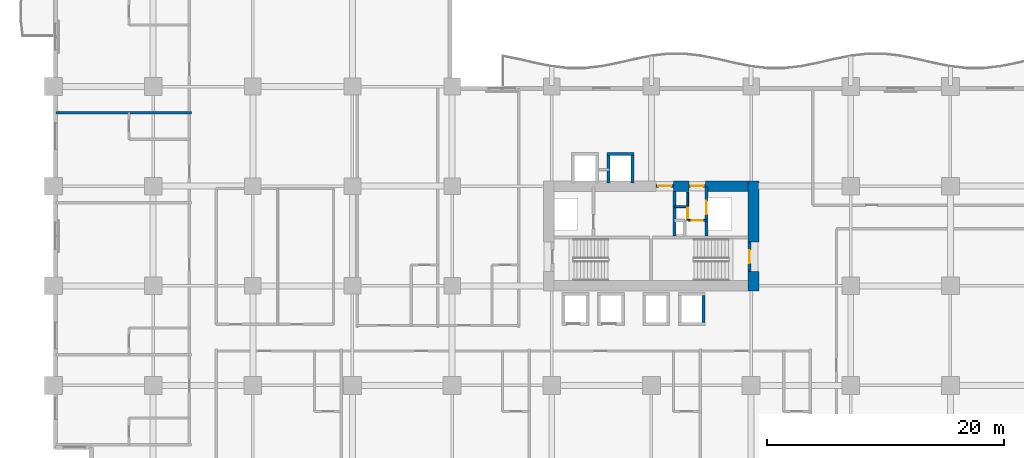
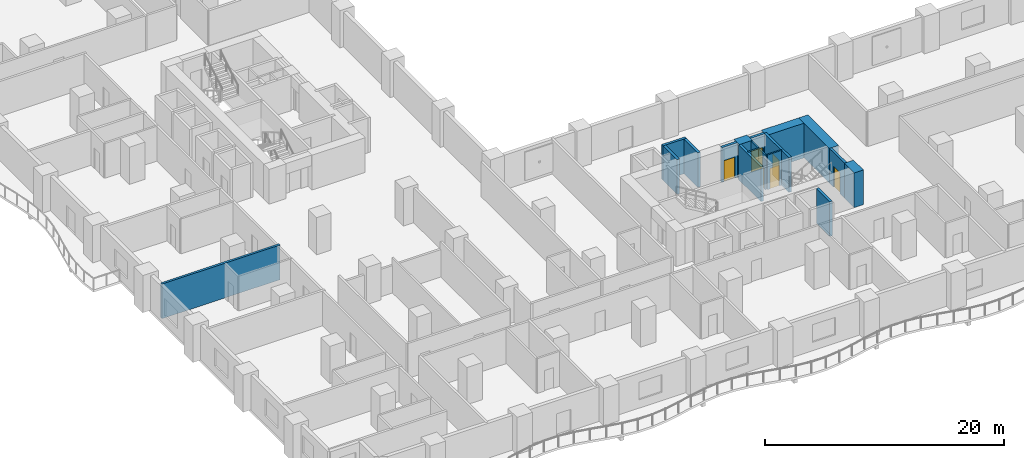
# One storey, part 7 of 20: 17 walls, 6 doors, 6 openings.
"""IFC4 building model written with IfcOpenShell, lengths in metres."""

from ifc_helpers import new_model, si_unit, direction, frame, frame_2d, origin, place, context, subcontext, project, spatial, rectangle, extrude, material, layer, layer_set, type_object, element, fill, save


model = new_model("IFC4")

# Units and contexts
model_context = context("Model", 3, precision=1e-05, world=origin(), true_north=direction((0.0, 1.0)))
body_context = subcontext(model_context, "Body", "Model", "MODEL_VIEW")
ifc_project = project(units=[si_unit("LENGTHUNIT", "METRE"), si_unit("AREAUNIT", "SQUARE_METRE"), si_unit("VOLUMEUNIT", "CUBIC_METRE"), si_unit("PLANEANGLEUNIT", "RADIAN"), si_unit("MASSUNIT", "GRAM", prefix="KILO")], contexts=[model_context])

# Site, building, storey
site_placement = place(None, origin())
site = spatial("IfcSite", under=ifc_project, at=site_placement, CompositionType="ELEMENT")
building_placement = place(site_placement, origin())
building = spatial("IfcBuilding", under=site, at=building_placement, Name="Koriwani Terraces Tower", CompositionType="ELEMENT")
storey_placement = place(building_placement, frame((0.0, 0.0, 73.800048828125)))
storey = spatial("IfcBuildingStorey", under=building, at=storey_placement, Name="L17", CompositionType="ELEMENT", Elevation=73.800048828125)

# Walls
ifc_material_1 = material(Name="Concrete C60/75", Category="concrete")
ifc_layer_1 = layer(ifc_material_1, 0.89990234375, Name="Concrete C60/75")
ifc_layer_set_1 = layer_set([ifc_layer_1], Name="Concrete C60/75")
wall_type_1 = type_object("IfcWallType", Name="WALL_CORE_RC_900", PredefinedType="SHEAR", material=ifc_layer_set_1)
wall_1_placement = place(storey_placement, frame((59.0, 16.35009765625, 0.0), z_axis=(0.0, 0.0, 1.0), x_axis=(0.0, 1.0, 0.0)))
element("IfcWall", 1, at=wall_1_placement, inside=storey, type_object=wall_type_1, Name="L17 East Split Core Shear Wall E1", PredefinedType="SHEAR", context=body_context, shape_type="SweptSolid", body=[
    extrude(rectangle(XDim=1.64990234375, YDim=0.89990234375, at=frame_2d((0.824951171875, 0.0))), origin(), (0.0, 0.0, 1.0), 3.550048828125),
])
wall_2_placement = place(storey_placement, frame((59.0, 20.5, 0.0), z_axis=(0.0, 0.0, 1.0), x_axis=(0.0, 1.0, 0.0)))
element("IfcWall", 2, at=wall_2_placement, inside=storey, type_object=wall_type_1, Name="L17 East Split Core Shear Wall E2", PredefinedType="SHEAR", context=body_context, shape_type="SweptSolid", body=[
    extrude(rectangle(XDim=5.14990234375, YDim=0.89990234375, at=frame_2d((2.574951171875, 0.0))), origin(), (0.0, 0.0, 1.0), 3.550048828125),
])
wall_3_placement = place(storey_placement, frame((52.280029296875, 25.199951171875, 0.0), z_axis=(0.0, 0.0, 1.0), x_axis=(1.0, 0.0, 0.0)))
element("IfcWall", 3, at=wall_3_placement, inside=storey, type_object=wall_type_1, Name="L17 East Split Core Shear Wall N2", PredefinedType="SHEAR", context=body_context, shape_type="SweptSolid", body=[
    extrude(rectangle(XDim=1.27001953125, YDim=0.89990234375, at=frame_2d((0.635009765625, 0.0))), origin(), (0.0, 0.0, 1.0), 3.550048828125),
])
wall_4_placement = place(storey_placement, frame((54.949951171875, 25.199951171875, 0.0), z_axis=(0.0, 0.0, 1.0), x_axis=(1.0, 0.0, 0.0)))
element("IfcWall", 4, at=wall_4_placement, inside=storey, type_object=wall_type_1, Name="L17 East Split Core Shear Wall N3", PredefinedType="SHEAR", context=body_context, shape_type="SweptSolid", body=[
    extrude(rectangle(XDim=3.60009765625, YDim=0.89990234375, at=frame_2d((1.800048828125, 0.0))), origin(), (0.0, 0.0, 1.0), 3.550048828125),
])
ifc_material_2 = material(Name="Autoclaved Cellular Concrete Blockwork", Category="masonry")
ifc_layer_2 = layer(ifc_material_2, 0.219970703125, Name="Autoclaved Cellular Concrete Blockwork")
ifc_layer_set_2 = layer_set([ifc_layer_2], Name="Autoclaved Cellular Concrete Blockwork")
wall_type_2 = type_object("IfcWallType", Name="WALL_DEMISING_220", PredefinedType="PARTITIONING", material=ifc_layer_set_2)
wall_5_placement = place(storey_placement, frame((0.199951171875, 31.39990234375, 0.0), z_axis=(0.0, 0.0, 1.0), x_axis=(1.0, 0.0, 0.0)))
element("IfcWall", 5, at=wall_5_placement, inside=storey, type_object=wall_type_2, Name="L17 Interior Wall WDEM-L17-NW-3", PredefinedType="PARTITIONING", context=body_context, shape_type="SweptSolid", body=[
    extrude(rectangle(XDim=11.429931640625, YDim=0.219970703125, at=frame_2d((5.71484375, 0.0))), origin(), (0.0, 0.0, 1.0), 3.550048828125),
])

# Wall, opening, door
ifc_material_3 = material(Name="Concrete C40/50", Category="concrete")
ifc_layer_3 = layer(ifc_material_3, 0.25, Name="Concrete C40/50")
ifc_layer_set_3 = layer_set([ifc_layer_3], Name="Concrete C40/50")
wall_type_3 = type_object("IfcWallType", Name="WALL_SHAFT_RATED_250", PredefinedType="SOLIDWALL", material=ifc_layer_set_3)
wall_6_placement = place(storey_placement, frame((58.675048828125, 18.0, 0.0), z_axis=(0.0, 0.0, 1.0), x_axis=(0.0, 1.0, 0.0)))
wall_6 = element("IfcWall", 6, at=wall_6_placement, inside=storey, type_object=wall_type_3, Name="L17 Interior Wall WIN-CE-L17-STE", PredefinedType="SOLIDWALL", context=body_context, shape_type="SweptSolid", body=[
    extrude(rectangle(XDim=2.5, YDim=0.25, at=frame_2d((1.25, 0.0))), origin(), (0.0, 0.0, 1.0), 3.550048828125),
])
opening_1_placement = place(wall_6_placement, frame((0.699951171875, 0.0, 0.0)))
opening_1 = element("IfcOpeningElement", 7, at=opening_1_placement, cuts=wall_6, Name="Opening D-03", PredefinedType="OPENING", context=body_context, shape_type="SweptSolid", body=[
    extrude(rectangle(XDim=1.10009765625, YDim=2.14990234375, at=frame_2d((0.550048828125, 1.074951171875))), frame((0.0, 0.135009765625, 0.0), z_axis=(0.0, -1.0, 0.0), x_axis=(1.0, 0.0, 0.0)), (0.0, 0.0, 1.0), 0.27001953125),
])
ifc_material_4 = material(Name="Steel ASTM A572 Grade 50", Category="steel")
door_type_1 = type_object("IfcDoorType", Name="DOOR_STAIR_FIRE_1100X2150", OperationType="NOTDEFINED", PredefinedType="DOOR", material=ifc_material_4)
door_1_placement = place(opening_1_placement, origin())
door_1 = element("IfcDoor", 8, at=door_1_placement, inside=storey, type_object=door_type_1, Name="L17 Exit Stair ST-E2 Door", OperationType="SINGLE_SWING_LEFT", OverallHeight=2.14990234375, OverallWidth=1.10009765625, PredefinedType="DOOR", context=body_context, shape_type="SweptSolid", body=[
    extrude(rectangle(XDim=1.10009765625, YDim=2.14990234375, at=frame_2d((0.550048828125, 1.074951171875))), frame((0.0, 0.02490234375, 0.0), z_axis=(0.0, -1.0, 0.0), x_axis=(1.0, 0.0, 0.0)), (0.0, 0.0, 1.0), 0.050048828125),
])
fill(opening_1, door_1)

wall_7_placement = place(storey_placement, frame((50.800048828125, 25.199951171875, 0.0), z_axis=(0.0, 0.0, 1.0), x_axis=(1.0, 0.0, 0.0)))
wall_7 = element("IfcWall", 9, at=wall_7_placement, inside=storey, type_object=wall_type_3, Name="L17 Interior Wall WIN-CE-L17-NP", PredefinedType="SOLIDWALL", context=body_context, shape_type="SweptSolid", body=[
    extrude(rectangle(XDim=1.47998046875, YDim=0.25, at=frame_2d((0.739990234375, 0.0))), origin(), (0.0, 0.0, 1.0), 3.550048828125),
])
opening_2_placement = place(wall_7_placement, frame((0.179931640625, 0.0, 0.0)))
opening_2 = element("IfcOpeningElement", 10, at=opening_2_placement, cuts=wall_7, Name="Opening D-03", PredefinedType="OPENING", context=body_context, shape_type="SweptSolid", body=[
    extrude(rectangle(XDim=1.10009765625, YDim=2.14990234375, at=frame_2d((0.550048828125, 1.074951171875))), frame((0.0, 0.135009765625, 0.0), z_axis=(0.0, -1.0, 0.0), x_axis=(1.0, 0.0, 0.0)), (0.0, 0.0, 1.0), 0.27001953125),
])
door_2_placement = place(opening_2_placement, origin())
door_2 = element("IfcDoor", 11, at=door_2_placement, inside=storey, type_object=door_type_1, Name="L17 East Firefighting Lobby Door", OperationType="SINGLE_SWING_RIGHT", OverallHeight=2.14990234375, OverallWidth=1.10009765625, PredefinedType="DOOR", context=body_context, shape_type="SweptSolid", body=[
    extrude(rectangle(XDim=1.10009765625, YDim=2.14990234375, at=frame_2d((0.550048828125, 1.074951171875))), frame((0.0, 0.02490234375, 0.0), z_axis=(0.0, -1.0, 0.0), x_axis=(1.0, 0.0, 0.0)), (0.0, 0.0, 1.0), 0.050048828125),
])
fill(opening_2, door_2)

# Wall
wall_8_placement = place(storey_placement, frame((52.340087890625, 21.0, 0.0), z_axis=(0.0, 0.0, 1.0), x_axis=(0.0, 1.0, 0.0)))
element("IfcWall", 12, at=wall_8_placement, inside=storey, type_object=wall_type_3, Name="L17 Interior Wall WIN-CE-L17-FFE", PredefinedType="SOLIDWALL", context=body_context, shape_type="SweptSolid", body=[
    extrude(rectangle(XDim=3.75, YDim=0.25, at=frame_2d((1.875, 0.0))), origin(), (0.0, 0.0, 1.0), 3.550048828125),
])

# Wall, opening, door
wall_9_placement = place(storey_placement, frame((55.050048828125, 21.0, 0.0), z_axis=(0.0, 0.0, 1.0), x_axis=(0.0, 1.0, 0.0)))
wall_9 = element("IfcWall", 13, at=wall_9_placement, inside=storey, type_object=wall_type_3, Name="L17 Interior Wall WIN-CE-L17-SE", PredefinedType="SOLIDWALL", context=body_context, shape_type="SweptSolid", body=[
    extrude(rectangle(XDim=4.14990234375, YDim=0.25, at=frame_2d((2.074951171875, 0.0))), origin(), (0.0, 0.0, 1.0), 3.550048828125),
])
opening_3_placement = place(wall_9_placement, frame((1.85009765625, 0.0, 0.0)))
opening_3 = element("IfcOpeningElement", 14, at=opening_3_placement, cuts=wall_9, Name="Opening LD-01", PredefinedType="OPENING", context=body_context, shape_type="SweptSolid", body=[
    extrude(rectangle(XDim=1.10009765625, YDim=2.14990234375, at=frame_2d((0.550048828125, 1.074951171875))), frame((0.0, 0.135009765625, 0.0), z_axis=(0.0, -1.0, 0.0), x_axis=(1.0, 0.0, 0.0)), (0.0, 0.0, 1.0), 0.27001953125),
])
door_type_2 = type_object("IfcDoorType", Name="DOOR_LIFT_LANDING_1100X2200", OperationType="NOTDEFINED", PredefinedType="DOOR", material=ifc_material_4)
door_3_placement = place(opening_3_placement, origin())
door_3 = element("IfcDoor", 15, at=door_3_placement, inside=storey, type_object=door_type_2, Name="L17 Goods Lift SE-02 Landing Door", OperationType="SLIDING_TO_LEFT", OverallHeight=2.14990234375, OverallWidth=1.10009765625, PredefinedType="DOOR", context=body_context, shape_type="SweptSolid", body=[
    extrude(rectangle(XDim=1.10009765625, YDim=2.14990234375, at=frame_2d((0.550048828125, 1.074951171875))), frame((0.0, 0.02490234375, 0.0), z_axis=(0.0, -1.0, 0.0), x_axis=(1.0, 0.0, 0.0)), (0.0, 0.0, 1.0), 0.050048828125),
])
fill(opening_3, door_3)

wall_10_placement = place(storey_placement, frame((53.550048828125, 25.199951171875, 0.0), z_axis=(0.0, 0.0, 1.0), x_axis=(1.0, 0.0, 0.0)))
wall_10 = element("IfcWall", 16, at=wall_10_placement, inside=storey, type_object=wall_type_3, Name="L17 Interior Wall WIN-CE-L17-NP2", PredefinedType="SOLIDWALL", context=body_context, shape_type="SweptSolid", body=[
    extrude(rectangle(XDim=1.39990234375, YDim=0.25, at=frame_2d((0.699951171875, 0.0))), origin(), (0.0, 0.0, 1.0), 3.550048828125),
])
opening_4_placement = place(wall_10_placement, frame((0.14990234375, 0.0, 0.0)))
opening_4 = element("IfcOpeningElement", 17, at=opening_4_placement, cuts=wall_10, Name="Opening D-03", PredefinedType="OPENING", context=body_context, shape_type="SweptSolid", body=[
    extrude(rectangle(XDim=1.10009765625, YDim=2.14990234375, at=frame_2d((0.550048828125, 1.074951171875))), frame((0.0, 0.135009765625, 0.0), z_axis=(0.0, -1.0, 0.0), x_axis=(1.0, 0.0, 0.0)), (0.0, 0.0, 1.0), 0.27001953125),
])
door_4_placement = place(opening_4_placement, origin())
door_4 = element("IfcDoor", 18, at=door_4_placement, inside=storey, type_object=door_type_1, Name="L17 East Goods Lift Lobby Door", OperationType="SINGLE_SWING_LEFT", OverallHeight=2.14990234375, OverallWidth=1.10009765625, PredefinedType="DOOR", context=body_context, shape_type="SweptSolid", body=[
    extrude(rectangle(XDim=1.10009765625, YDim=2.14990234375, at=frame_2d((0.550048828125, 1.074951171875))), frame((0.0, 0.02490234375, 0.0), z_axis=(0.0, -1.0, 0.0), x_axis=(1.0, 0.0, 0.0)), (0.0, 0.0, 1.0), 0.050048828125),
])
fill(opening_4, door_4)

# Walls
for number, where, z_axis, x_axis, name in (
    (19, (54.800048828125, 13.72509765625, 0.0), (0.0, 0.0, 1.0), (0.0, 1.0, 0.0), "L17 Interior Wall WIN-LF-PE-M4-L17-E"),
    (20, (46.675048828125, 27.89990234375, 0.0), (0.0, 0.0, 1.0), (1.0, 0.0, 0.0), "L17 Interior Wall WIN-LF-PE-H4-L17-F"),
):
    element("IfcWall", number, at=place(storey_placement, frame(where, z_axis=z_axis, x_axis=x_axis)), inside=storey, type_object=wall_type_3, Name=name, PredefinedType="SOLIDWALL", context=body_context, shape_type="SweptSolid", body=[
        extrude(rectangle(XDim=2.25, YDim=0.25, at=frame_2d((1.125, 0.0))), origin(), (0.0, 0.0, 1.0), 3.550048828125),
    ])
for number, where, z_axis, x_axis, name in (
    (21, (46.800048828125, 25.449951171875, 0.0), (0.0, 0.0, 1.0), (0.0, 1.0, 0.0), "L17 Interior Wall WIN-LF-PE-H4-L17-W"),
    (22, (48.800048828125, 25.449951171875, 0.0), (0.0, 0.0, 1.0), (0.0, 1.0, 0.0), "L17 Interior Wall WIN-LF-PE-H4-L17-E"),
):
    element("IfcWall", number, at=place(storey_placement, frame(where, z_axis=z_axis, x_axis=x_axis)), inside=storey, type_object=wall_type_3, Name=name, PredefinedType="SOLIDWALL", context=body_context, shape_type="SweptSolid", body=[
        extrude(rectangle(XDim=2.324951171875, YDim=0.25, at=frame_2d((1.16259765625, 0.0))), origin(), (0.0, 0.0, 1.0), 3.550048828125),
    ])

# Wall, opening, door
ifc_material_5 = material(Name="Fire-Rated Acoustic Gypsum Partition", Category="masonry")
ifc_layer_4 = layer(ifc_material_5, 0.159912109375, Name="Fire-Rated Acoustic Gypsum Partition")
ifc_layer_set_4 = layer_set([ifc_layer_4], Name="Fire-Rated Acoustic Gypsum Partition")
wall_type_4 = type_object("IfcWallType", Name="WALL_SUITE_160", PredefinedType="PARTITIONING", material=ifc_layer_set_4)
wall_11_placement = place(storey_placement, frame((53.56005859375, 22.320068359375, 0.0), z_axis=(0.0, 0.0, 1.0), x_axis=(1.0, 0.0, 0.0)))
wall_11 = element("IfcWall", 23, at=wall_11_placement, inside=storey, type_object=wall_type_4, Name="L17 Interior Wall WIN-CE-L17-SV2A", PredefinedType="PARTITIONING", context=body_context, shape_type="SweptSolid", body=[
    extrude(rectangle(XDim=1.43994140625, YDim=0.159912109375, at=frame_2d((0.719970703125, 0.0))), origin(), (0.0, 0.0, 1.0), 3.550048828125),
])
opening_5_placement = place(wall_11_placement, frame((0.260009765625, 0.0, 0.0)))
opening_5 = element("IfcOpeningElement", 24, at=opening_5_placement, cuts=wall_11, Name="Opening D-07", PredefinedType="OPENING", context=body_context, shape_type="SweptSolid", body=[
    extrude(rectangle(XDim=0.89990234375, YDim=2.10009765625, at=frame_2d((0.449951171875, 1.050048828125))), frame((0.0, 0.08984375, 0.0), z_axis=(0.0, -1.0, 0.0), x_axis=(1.0, 0.0, 0.0)), (0.0, 0.0, 1.0), 0.179931640625),
])
ifc_material_6 = material(Name="Architectural Oak Fire Door", Category="wood")
door_type_3 = type_object("IfcDoorType", Name="DOOR_BATH_INT_900X2100", OperationType="NOTDEFINED", PredefinedType="DOOR", material=ifc_material_6)
door_5_placement = place(opening_5_placement, origin())
door_5 = element("IfcDoor", 25, at=door_5_placement, inside=storey, type_object=door_type_3, Name="L17 East Meter Room Door", OperationType="SINGLE_SWING_RIGHT", OverallHeight=2.10009765625, OverallWidth=0.89990234375, PredefinedType="DOOR", context=body_context, shape_type="SweptSolid", body=[
    extrude(rectangle(XDim=0.89990234375, YDim=2.10009765625, at=frame_2d((0.449951171875, 1.050048828125))), frame((0.0, 0.02490234375, 0.0), z_axis=(0.0, -1.0, 0.0), x_axis=(1.0, 0.0, 0.0)), (0.0, 0.0, 1.0), 0.050048828125),
])
fill(opening_5, door_5)

wall_12_placement = place(storey_placement, frame((53.4599609375, 22.320068359375, 0.0), z_axis=(0.0, 0.0, 1.0), x_axis=(0.0, 1.0, 0.0)))
wall_12 = element("IfcWall", 26, at=wall_12_placement, inside=storey, type_object=wall_type_4, Name="L17 Interior Wall WIN-CE-L17-SV2H", PredefinedType="PARTITIONING", context=body_context, shape_type="SweptSolid", body=[
    extrude(rectangle(XDim=2.35986328125, YDim=0.159912109375, at=frame_2d((1.179931640625, 0.0))), origin(), (0.0, 0.0, 1.0), 3.550048828125),
])
opening_6_placement = place(wall_12_placement, frame((0.159912109375, 0.0, 0.0)))
opening_6 = element("IfcOpeningElement", 27, at=opening_6_placement, cuts=wall_12, Name="Opening D-07", PredefinedType="OPENING", context=body_context, shape_type="SweptSolid", body=[
    extrude(rectangle(XDim=0.89990234375, YDim=2.10009765625, at=frame_2d((0.449951171875, 1.050048828125))), frame((0.0, 0.08984375, 0.0), z_axis=(0.0, -1.0, 0.0), x_axis=(1.0, 0.0, 0.0)), (0.0, 0.0, 1.0), 0.179931640625),
])
door_6_placement = place(opening_6_placement, origin())
door_6 = element("IfcDoor", 28, at=door_6_placement, inside=storey, type_object=door_type_3, Name="L17 East Valve Room Door", OperationType="SINGLE_SWING_LEFT", OverallHeight=2.10009765625, OverallWidth=0.89990234375, PredefinedType="DOOR", context=body_context, shape_type="SweptSolid", body=[
    extrude(rectangle(XDim=0.89990234375, YDim=2.10009765625, at=frame_2d((0.449951171875, 1.050048828125))), frame((0.0, 0.02490234375, 0.0), z_axis=(0.0, -1.0, 0.0), x_axis=(1.0, 0.0, 0.0)), (0.0, 0.0, 1.0), 0.050048828125),
])
fill(opening_6, door_6)

# Wall
wall_13_placement = place(storey_placement, frame((52.360107421875, 23.47998046875, 0.0), z_axis=(0.0, 0.0, 1.0), x_axis=(1.0, 0.0, 0.0)))
element("IfcWall", 29, at=wall_13_placement, inside=storey, type_object=wall_type_4, Name="L17 Interior Wall WIN-CE-L17-SV2V", PredefinedType="PARTITIONING", context=body_context, shape_type="SweptSolid", body=[
    extrude(rectangle(XDim=1.099853515625, YDim=0.159912109375, at=frame_2d((0.5498046875, 0.0))), origin(), (0.0, 0.0, 1.0), 3.550048828125),
])

save(model, "model.ifc")
